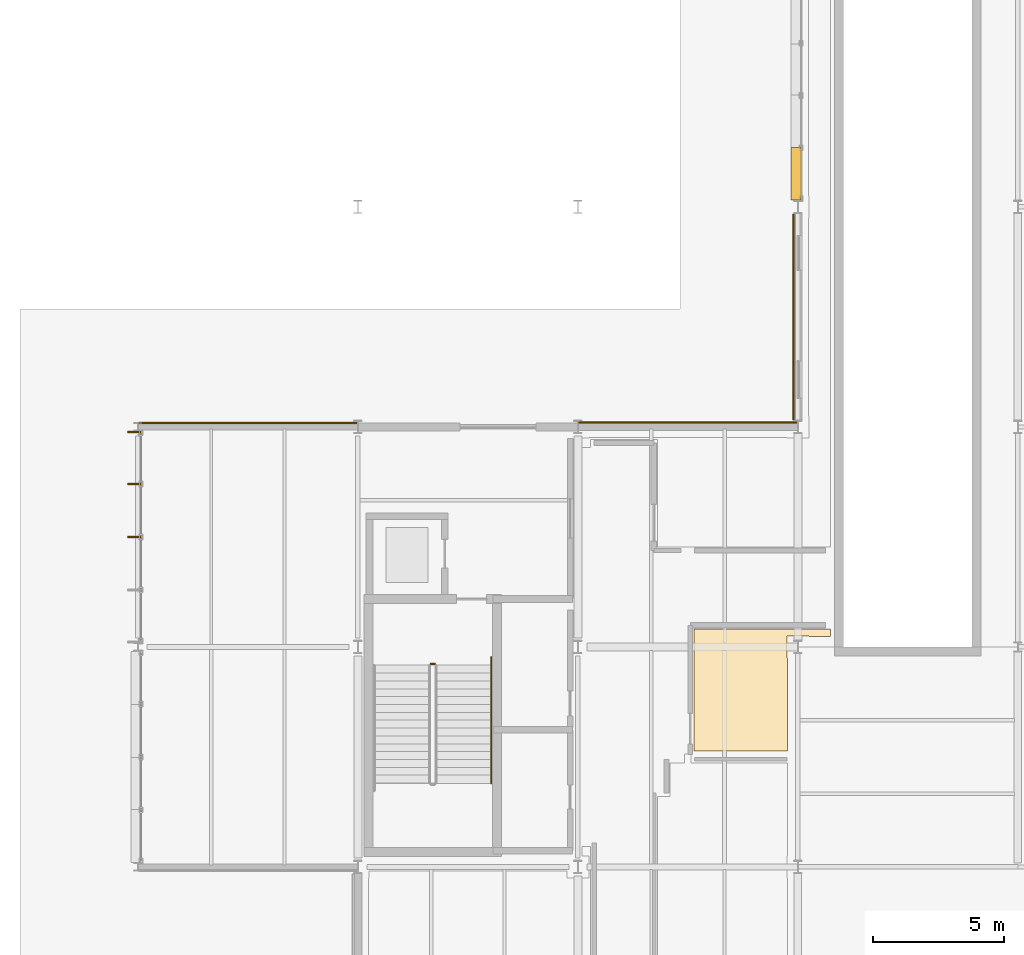
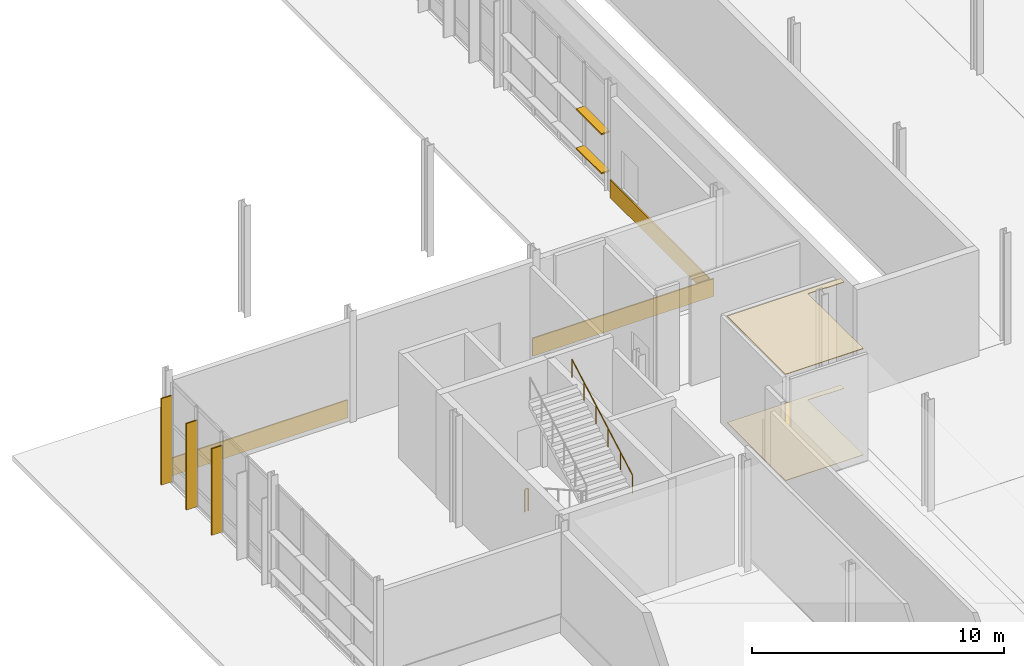
# One storey, part 109 of 124: 5 coverings, 5 shading devices, 2 railings.
"""IFC4 building model written with IfcOpenShell, lengths in metres."""

from ifc_helpers import new_model, si_unit, direction, frame, origin, origin_2d, place, context, subcontext, project, spatial, polyline, rectangle, circle, outline, extrude, material, layer, layer_set, type_object, element, save


model = new_model("IFC4")

# Units and contexts
model_context = context("Model", 3, precision=1e-05, world=origin(), true_north=direction((0.0, 1.0)))
body_context = subcontext(model_context, "Body", "Model", "MODEL_VIEW")
ifc_project = project(units=[si_unit("LENGTHUNIT", "METRE"), si_unit("AREAUNIT", "SQUARE_METRE"), si_unit("VOLUMEUNIT", "CUBIC_METRE"), si_unit("PLANEANGLEUNIT", "RADIAN"), si_unit("MASSUNIT", "GRAM", prefix="KILO")], contexts=[model_context])

# Site, building, storey
site_placement = place(None, origin())
site = spatial("IfcSite", under=ifc_project, at=site_placement, CompositionType="ELEMENT")
building_placement = place(site_placement, origin())
building = spatial("IfcBuilding", under=site, at=building_placement, Name="Mersafa Astral City Hall", CompositionType="ELEMENT")
storey_placement = place(building_placement, origin())
storey = spatial("IfcBuildingStorey", under=building, at=storey_placement, Name="L00", CompositionType="ELEMENT", Elevation=0.0)

# Coverings
ifc_material_1 = material(Name="Cairo Mokattam buff limestone cladding", Category="masonry")
ifc_layer_1 = layer(ifc_material_1, 0.06005859375, Name="Cairo Mokattam buff limestone cladding")
ifc_layer_set_1 = layer_set([ifc_layer_1], Name="Cairo Mokattam buff limestone cladding — ENV-COV-LIMESTONE-60")
covering_type_1 = type_object("IfcCoveringType", Name="ENV-COV-LIMESTONE-60", PredefinedType="CLADDING", material=ifc_layer_set_1)
covering_1_placement = place(storey_placement, frame((25.030517578125, 96.60009765625, 0.0), z_axis=(0.0, 0.0, 1.0), x_axis=(0.0, -1.0, 0.0)))
element("IfcCovering", 1, at=covering_1_placement, inside=storey, type_object=covering_type_1, Name="L00 Cairo buff limestone rainscreen cladding 45", PredefinedType="CLADDING", context=body_context, shape_type="SweptSolid", body=[
    extrude(rectangle(XDim=7.847900390625, YDim=0.06005859375, at=origin_2d()), origin(), (0.0, 0.0, 1.0), 0.860107421875),
])
for number, where, z_axis, x_axis, name in (
    (2, (21.0, 92.56201171875, 0.0), (0.0, 0.0, 1.0), (-1.0, 0.0, 0.0), "L00 Cairo buff limestone rainscreen cladding 46"),
    (3, (4.199951171875, 92.547119140625, 0.0), (0.0, 0.0, 1.0), (-1.0, 0.0, 0.0), "L00 Cairo buff limestone rainscreen cladding 47"),
):
    element("IfcCovering", number, at=place(storey_placement, frame(where, z_axis=z_axis, x_axis=x_axis)), inside=storey, type_object=covering_type_1, Name=name, PredefinedType="CLADDING", context=body_context, shape_type="SweptSolid", body=[
        extrude(rectangle(XDim=8.323974609375, YDim=0.06005859375, at=origin_2d()), origin(), (0.0, 0.0, 1.0), 0.860107421875),
    ])

# Shading devices
ifc_material_2 = material(Name="Anodised bronze aluminium solar fin", Category="aluminium")
shading_device_type_1 = type_object("IfcShadingDeviceType", Name="ENV-SHD-FIN-500B", PredefinedType="USERDEFINED", material=ifc_material_2)
for number, where, z_axis, x_axis, name in (
    (4, (-0.14501953125, 92.2080078125, -0.01513671875), (0.0, 0.0, 1.0), (0.0, -1.0, 0.0), "L00 Vertical bronze solar fin 227"),
    (5, (-0.14501953125, 90.218994140625, -0.01513671875), (0.0, 0.0, 1.0), (0.0, -1.0, 0.0), "L00 Vertical bronze solar fin 228"),
    (6, (-0.14501953125, 88.199951171875, -0.01513671875), (0.0, 0.0, 1.0), (0.0, -1.0, 0.0), "L00 Vertical bronze solar fin 229"),
):
    element("IfcShadingDevice", number, at=place(storey_placement, frame(where, z_axis=z_axis, x_axis=x_axis)), inside=storey, type_object=shading_device_type_1, Name=name, ObjectType="FIN", PredefinedType="USERDEFINED", context=body_context, shape_type="SweptSolid", body=[
        extrude(rectangle(XDim=0.06005859375, YDim=0.5, at=origin_2d()), origin(), (0.0, 0.0, 1.0), 4.199951171875),
    ])
ifc_material_3 = material(Name="Kiln-dried cedar timber brise-soleil blade", Category="wood")
shading_device_type_2 = type_object("IfcShadingDeviceType", Name="ENV-SHD-LOUVRE-380", PredefinedType="JALOUSIE", material=ifc_material_3)
for number, where, z_axis, x_axis, name in (
    (7, (25.1201171875, 102.073974609375, 0.81494140625), (0.0, 0.0, 1.0), (0.0, -1.0, 0.0), "L00 Horizontal cedar brise-soleil louvre 222"),
    (8, (25.1201171875, 102.073974609375, 2.71484375), (0.0, 0.0, 1.0), (0.0, -1.0, 0.0), "L00 Horizontal cedar brise-soleil louvre 226"),
):
    element("IfcShadingDevice", number, at=place(storey_placement, frame(where, z_axis=z_axis, x_axis=x_axis)), inside=storey, type_object=shading_device_type_2, Name=name, PredefinedType="JALOUSIE", context=body_context, shape_type="SweptSolid", body=[
        extrude(rectangle(XDim=2.00390625, YDim=0.3798828125, at=origin_2d()), origin(), (0.0, 0.0, 1.0), 0.070068359375),
    ])

# Railings
ifc_material_4 = material(Name="Painted architectural steel stair guard balustrade", Category="steel")
railing_type_1 = type_object("IfcRailingType", Name="GUARD-RAIL", PredefinedType="BALUSTRADE", material=ifc_material_4)
railing_1_placement = place(storey_placement, frame((11.179931640625, 83.35009765625, 0.0)))
element("IfcRailing", 9, at=railing_1_placement, inside=storey, type_object=railing_type_1, Name="L00 ST6 stair guard 4", PredefinedType="BALUSTRADE", context=body_context, shape_type="SweptSolid", body=[
    extrude(circle(Radius=0.02392578125, at=origin_2d()), frame((0.0, 0.0, 1.09619140625), z_axis=(1.0, 0.0, 0.0), x_axis=(0.0, 1.0, 0.0)), (0.0, 0.0, 1.0), 0.16015625),
    extrude(circle(Radius=0.02099609375, at=origin_2d()), origin(), (0.0, 0.0, 1.0), 1.072021484375),
    extrude(circle(Radius=0.02099609375, at=origin_2d()), frame((0.16015625, 0.0, 0.0)), (0.0, 0.0, 1.0), 1.072021484375),
])
ifc_material_5 = material(Name="Brushed stainless steel tubular handrail", Category="steel")
railing_type_2 = type_object("IfcRailingType", Name="HANDRAIL", PredefinedType="HANDRAIL", material=ifc_material_5)
railing_2_placement = place(storey_placement, frame((13.489990234375, 78.800048828125, 2.86865234375)))
element("IfcRailing", 10, at=railing_2_placement, inside=storey, type_object=railing_type_2, Name="L00 ST6 stair handrail 2", PredefinedType="HANDRAIL", context=body_context, shape_type="SweptSolid", body=[
    extrude(circle(Radius=0.02392578125, at=origin_2d()), frame((0.0, 0.0, 0.8759765625), z_axis=(0.0, 0.871335168691, 0.49068831635), x_axis=(-1.0, 0.0, 0.0)), (0.0, 0.0, 1.0), 5.5087890625),
    extrude(circle(Radius=0.02099609375, at=origin_2d()), origin(), (0.0, 0.0, 1.0), 0.851806640625),
    extrude(circle(Radius=0.02099609375, at=origin_2d()), frame((0.0, 0.9599609375, 0.54052734375)), (0.0, 0.0, 1.0), 0.851806640625),
    extrude(circle(Radius=0.02099609375, at=origin_2d()), frame((0.0, 1.919921875, 1.081298828125)), (0.0, 0.0, 1.0), 0.851806640625),
    extrude(circle(Radius=0.02099609375, at=origin_2d()), frame((0.0, 2.880126953125, 1.621826171875)), (0.0, 0.0, 1.0), 0.851806640625),
    extrude(circle(Radius=0.02099609375, at=origin_2d()), frame((0.0, 3.840087890625, 2.16259765625)), (0.0, 0.0, 1.0), 0.851806640625),
    extrude(circle(Radius=0.02099609375, at=origin_2d()), frame((0.0, 4.800048828125, 2.703125)), (0.0, 0.0, 1.0), 0.851806640625),
])

# Coverings
ifc_material_6 = material(Name="Slatted cedar timber acoustic baffle ceiling", Category="wood")
ifc_layer_2 = layer(ifc_material_6, 0.034912109375, Name="Slatted cedar timber acoustic baffle ceiling")
ifc_layer_set_2 = layer_set([ifc_layer_2], Name="Slatted cedar timber acoustic baffle ceiling — INT-COV-CEIL-35")
covering_type_2 = type_object("IfcCoveringType", Name="INT-COV-CEIL-35", PredefinedType="CEILING", material=ifc_layer_set_2)
covering_2_placement = place(storey_placement, frame((0.0, 0.0, 5.14599609375)))
element("IfcCovering", 11, at=covering_2_placement, inside=storey, type_object=covering_type_2, Name="L00 Civic Exhibition Gallery L00-33 acoustic ceiling", PredefinedType="CEILING", context=body_context, shape_type="SweptSolid", body=[
    extrude(outline(polyline([(21.22998046875, 84.679931640625), (26.43994140625, 84.679931640625), (26.43994140625, 84.39990234375), (25.6201171875, 84.39990234375), (25.6201171875, 84.419921875), (24.780029296875, 84.419921875), (24.780029296875, 83.580078125), (24.800048828125, 83.580078125), (24.800048828125, 80.030029296875), (21.22998046875, 80.030029296875), (21.22998046875, 84.679931640625)])), origin(), (0.0, 0.0, 1.0), 0.034912109375),
])
ifc_material_7 = material(Name="Honed Cairo limestone terrazzo flooring", Category="masonry")
ifc_layer_3 = layer(ifc_material_7, 0.02001953125, Name="Honed Cairo limestone terrazzo flooring")
ifc_layer_set_3 = layer_set([ifc_layer_3], Name="Honed Cairo limestone terrazzo flooring — INT-COV-FLR-20")
covering_type_3 = type_object("IfcCoveringType", Name="INT-COV-FLR-20", PredefinedType="FLOORING", material=ifc_layer_set_3)
covering_3_placement = place(storey_placement, frame((0.0, 0.0, -0.00146484375)))
element("IfcCovering", 12, at=covering_3_placement, inside=storey, type_object=covering_type_3, Name="L00 Civic Exhibition Gallery L00-33 architectural flooring", PredefinedType="FLOORING", context=body_context, shape_type="SweptSolid", body=[
    extrude(outline(polyline([(21.22998046875, 84.679931640625), (26.43994140625, 84.679931640625), (26.43994140625, 84.39990234375), (25.6201171875, 84.39990234375), (25.6201171875, 84.419921875), (24.780029296875, 84.419921875), (24.780029296875, 83.580078125), (24.800048828125, 83.580078125), (24.800048828125, 80.030029296875), (21.22998046875, 80.030029296875), (21.22998046875, 84.679931640625)])), origin(), (0.0, 0.0, 1.0), 0.02001953125),
])

save(model, "model.ifc")
